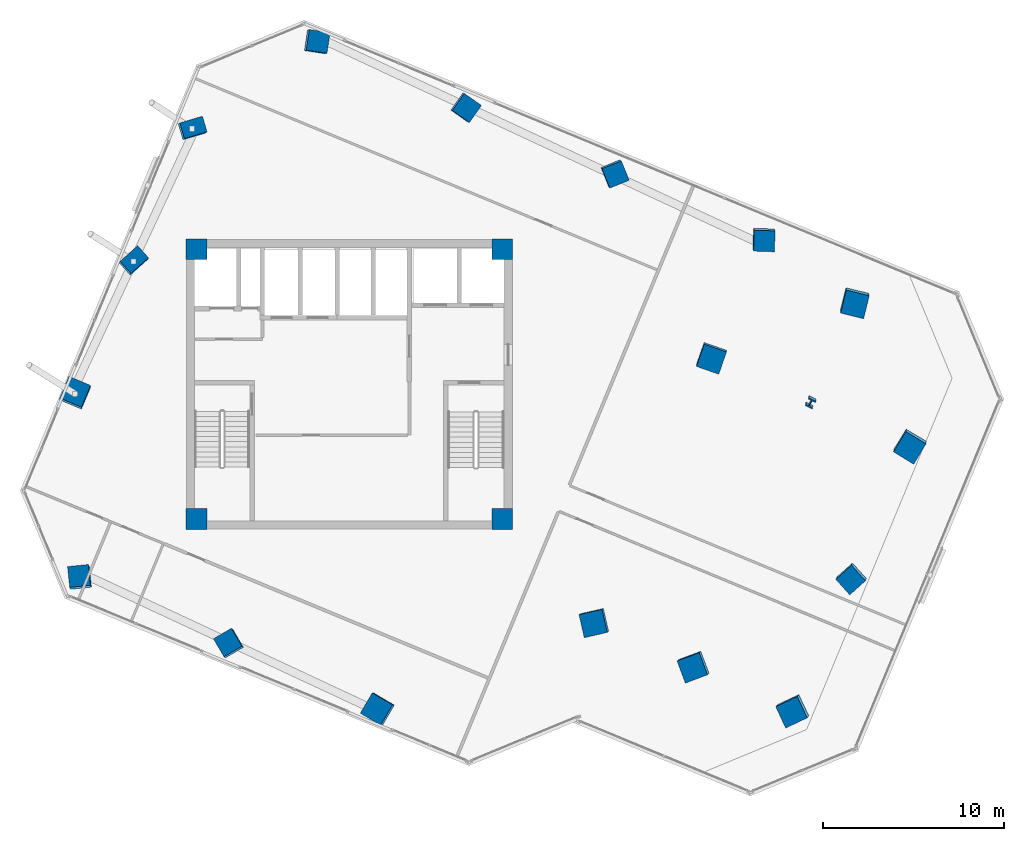
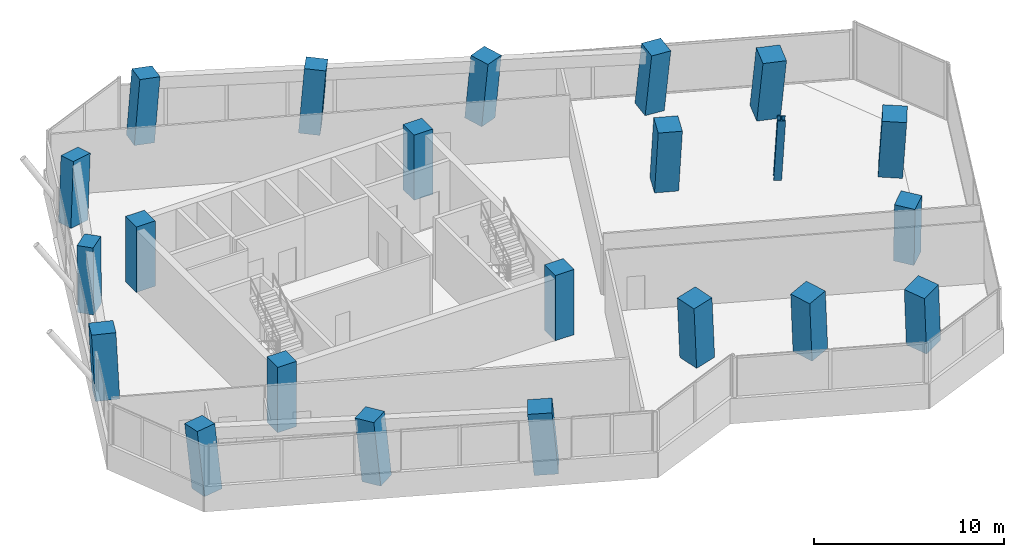
# One storey, part 1 of 22: 22 columns.
"""IFC4 building model written with IfcOpenShell, lengths in metres."""

from ifc_helpers import new_model, si_unit, direction, frame, origin, origin_2d, place, context, subcontext, project, spatial, rectangle, i_section, extrude, clip, halfspace, source, transform, mapped, material, material_profile, profile_set, type_object, element, save


model = new_model("IFC4")

# Units and contexts
model_context = context("Model", 3, precision=1e-05, world=origin(), true_north=direction((0.0, 1.0)))
body_context = subcontext(model_context, "Body", "Model", "MODEL_VIEW")
ifc_project = project(units=[si_unit("LENGTHUNIT", "METRE"), si_unit("AREAUNIT", "SQUARE_METRE"), si_unit("VOLUMEUNIT", "CUBIC_METRE"), si_unit("PLANEANGLEUNIT", "RADIAN"), si_unit("MASSUNIT", "GRAM", prefix="KILO")], contexts=[model_context])

# Site, building, storey
site_placement = place(None, origin())
site = spatial("IfcSite", under=ifc_project, at=site_placement, CompositionType="ELEMENT")
building_placement = place(site_placement, origin())
building = spatial("IfcBuilding", under=site, at=building_placement, Name="Torre Montelarca", CompositionType="ELEMENT")
storey_placement = place(building_placement, frame((0.0, 0.0, 149.800048828125)))
storey = spatial("IfcBuildingStorey", under=building, at=storey_placement, Name="L33", CompositionType="ELEMENT", Elevation=149.800048828125)

# Columns
ifc_material_1 = material(Name="Concrete C55/67", Category="concrete")
ifc_material_profile_1 = material_profile(ifc_material_1, rectangle(XDim=0.89990234375, YDim=1.300048828125, at=origin_2d()), Name="RC1300X900", Category="concrete")
ifc_profile_set_1 = profile_set([ifc_material_profile_1], Name="Concrete C55/67")
column_type_1 = type_object("IfcColumnType", Name="COL-PIL1300-EXT", PredefinedType="PILASTER", material=ifc_profile_set_1)
column_1_placement = place(storey_placement, frame((6.076904296875, 38.786376953125, 0.0), z_axis=(0.036018819674, 0.079391964265, 0.996192531913), x_axis=(0.667777192971, -0.743532643581, 0.035111657288)))
element("IfcColumn", 1, at=column_1_placement, inside=storey, type_object=column_type_1, Name="L33 Column 1W/E", PredefinedType="PILASTER", context=body_context, shape_type="Clipping", body=[
    clip(clip(extrude(rectangle(XDim=0.89990234375, YDim=1.300048828125, at=origin_2d()), origin(), (0.0, 0.0, 1.0), 4.216064453125), halfspace(frame((0.0, 0.0, 0.068603515625), z_axis=(0.0, 0.0, -1.0), x_axis=(1.0, 0.0, 0.0)), False)), halfspace(frame((0.0, 0.0, 4.1474609375), z_axis=(0.0, 0.0, 1.0), x_axis=(1.0, 0.0, 0.0)), False)),
])
column_2_placement = place(storey_placement, frame((9.299072265625, 46.10888671875, 0.0), z_axis=(0.073596254147, 0.062255950835, 0.995343050391), x_axis=(0.285083814289, -0.957716020823, 0.038823218429)))
element("IfcColumn", 2, at=column_2_placement, inside=storey, type_object=column_type_1, Name="L33 Column 1W/F", PredefinedType="PILASTER", context=body_context, shape_type="Clipping", body=[
    clip(clip(extrude(rectangle(XDim=0.89990234375, YDim=1.300048828125, at=origin_2d()), origin(), (0.0, 0.0, 1.0), 4.219482421875), halfspace(frame((0.0, 0.0, 0.075927734375), z_axis=(0.0, 0.0, -1.0), x_axis=(1.0, 0.0, 0.0)), False)), halfspace(frame((0.0, 0.0, 4.1435546875), z_axis=(0.0, 0.0, 1.0), x_axis=(1.0, 0.0, 0.0)), False)),
])
ifc_material_profile_2 = material_profile(ifc_material_1, rectangle(XDim=1.14990234375, YDim=1.14990234375, at=origin_2d()), Name="RC1150X1150", Category="concrete")
ifc_profile_set_2 = profile_set([ifc_material_profile_2], Name="Concrete C55/67")
column_type_2 = type_object("IfcColumnType", Name="COL-RC1150-EXT", PredefinedType="COLUMN", material=ifc_profile_set_2)
column_3_placement = place(storey_placement, frame((3.13134765625, 21.291015625, 0.0), z_axis=(-0.054253829771, 0.095391983974, 0.993960206119), x_axis=(0.993538038075, 0.104540497944, 0.044197864073)))
element("IfcColumn", 3, at=column_3_placement, inside=storey, type_object=column_type_2, Name="L33 Column 2/CS", PredefinedType="COLUMN", context=body_context, shape_type="Clipping", body=[
    clip(clip(extrude(rectangle(XDim=1.14990234375, YDim=1.14990234375, at=origin_2d()), origin(), (0.0, 0.0, 1.0), 4.2255859375), halfspace(frame((0.0, 0.0, 0.08447265625), z_axis=(0.0, 0.0, -1.0), x_axis=(1.0, 0.0, 0.0)), False)), halfspace(frame((0.0, 0.0, 4.14111328125), z_axis=(0.0, 0.0, 1.0), x_axis=(1.0, 0.0, 0.0)), False)),
])
column_4_placement = place(storey_placement, frame((16.16015625, 50.9013671875, 0.0), z_axis=(0.097962845796, 0.026485822535, 0.99483756566), x_axis=(-0.147888594985, -0.988159168403, 0.04087078876)))
element("IfcColumn", 4, at=column_4_placement, inside=storey, type_object=column_type_2, Name="L33 Column 2/GN", PredefinedType="COLUMN", context=body_context, shape_type="Clipping", body=[
    clip(clip(extrude(rectangle(XDim=1.14990234375, YDim=1.14990234375, at=origin_2d()), origin(), (0.0, 0.0, 1.0), 4.2216796875), halfspace(frame((0.0, 0.0, 0.078125), z_axis=(0.0, 0.0, -1.0), x_axis=(1.0, 0.0, 0.0)), False)), halfspace(frame((0.0, 0.0, 4.1435546875), z_axis=(0.0, 0.0, 1.0), x_axis=(1.0, 0.0, 0.0)), False)),
])
column_5_placement = place(storey_placement, frame((11.369140625, 17.666259765625, 0.0), z_axis=(-0.073577292822, 0.053200261293, 0.995869526685), x_axis=(0.86133259686, 0.506723750126, 0.036567726806)))
element("IfcColumn", 5, at=column_5_placement, inside=storey, type_object=column_type_2, Name="L33 Column 3/CS", PredefinedType="COLUMN", context=body_context, shape_type="Clipping", body=[
    clip(clip(extrude(rectangle(XDim=1.14990234375, YDim=1.14990234375, at=origin_2d()), origin(), (0.0, 0.0, 1.0), 4.21728515625), halfspace(frame((0.0, 0.0, 0.06982421875), z_axis=(0.0, 0.0, -1.0), x_axis=(1.0, 0.0, 0.0)), False)), halfspace(frame((0.0, 0.0, 4.1474609375), z_axis=(0.0, 0.0, 1.0), x_axis=(1.0, 0.0, 0.0)), False)),
])
column_6_placement = place(storey_placement, frame((24.39794921875, 47.276611328125, 0.0), z_axis=(0.078972895195, -0.015875695732, 0.996750341916), x_axis=(-0.573957846388, -0.818241946245, 0.032442379315)))
element("IfcColumn", 6, at=column_6_placement, inside=storey, type_object=column_type_2, Name="L33 Column 3/GN", PredefinedType="COLUMN", context=body_context, shape_type="Clipping", body=[
    clip(clip(extrude(rectangle(XDim=1.14990234375, YDim=1.14990234375, at=origin_2d()), origin(), (0.0, 0.0, 1.0), 4.213623046875), halfspace(frame((0.0, 0.0, 0.06201171875), z_axis=(0.0, 0.0, -1.0), x_axis=(1.0, 0.0, 0.0)), False)), halfspace(frame((0.0, 0.0, 4.151611328125), z_axis=(0.0, 0.0, 1.0), x_axis=(1.0, 0.0, 0.0)), False)),
])
column_7_placement = place(storey_placement, frame((32.6357421875, 43.65185546875, 0.0), z_axis=(0.059722402109, -0.058274235229, 0.996512593094), x_axis=(-0.926484561929, -0.374829268194, 0.033606193079)))
element("IfcColumn", 7, at=column_7_placement, inside=storey, type_object=column_type_2, Name="L33 Column 4/GN", PredefinedType="COLUMN", context=body_context, shape_type="Clipping", body=[
    clip(clip(extrude(rectangle(XDim=1.14990234375, YDim=1.14990234375, at=origin_2d()), origin(), (0.0, 0.0, 1.0), 4.214599609375), halfspace(frame((0.0, 0.0, 0.064208984375), z_axis=(0.0, 0.0, -1.0), x_axis=(1.0, 0.0, 0.0)), False)), halfspace(frame((0.0, 0.0, 4.150390625), z_axis=(0.0, 0.0, 1.0), x_axis=(1.0, 0.0, 0.0)), False)),
])
column_8_placement = place(storey_placement, frame((40.87353515625, 40.027099609375, 0.0), z_axis=(0.040393428459, -0.10049237781, 0.994117524712), x_axis=(-0.998594010076, 0.030121143968, 0.043620175691)))
element("IfcColumn", 8, at=column_8_placement, inside=storey, type_object=column_type_2, Name="L33 Column 5/GN", PredefinedType="COLUMN", context=body_context, shape_type="Clipping", body=[
    clip(clip(extrude(rectangle(XDim=1.14990234375, YDim=1.14990234375, at=origin_2d()), origin(), (0.0, 0.0, 1.0), 4.224853515625), halfspace(frame((0.0, 0.0, 0.083251953125), z_axis=(0.0, 0.0, -1.0), x_axis=(1.0, 0.0, 0.0)), False)), halfspace(frame((0.0, 0.0, 4.1416015625), z_axis=(0.0, 0.0, 1.0), x_axis=(1.0, 0.0, 0.0)), False)),
])
column_9_placement = place(storey_placement, frame((45.755859375, 21.3271484375, 0.0), z_axis=(-0.056319332893, -0.124213498005, 0.990655913855), x_axis=(-0.66886814199, 0.741348944836, 0.05492859566)))
element("IfcColumn", 9, at=column_9_placement, inside=storey, type_object=column_type_2, Name="L33 Column 7/E", PredefinedType="COLUMN", context=body_context, shape_type="Clipping", body=[
    clip(clip(extrude(rectangle(XDim=1.14990234375, YDim=1.14990234375, at=origin_2d()), origin(), (0.0, 0.0, 1.0), 4.239501953125), halfspace(frame((0.0, 0.0, 0.10498046875), z_axis=(0.0, 0.0, -1.0), x_axis=(1.0, 0.0, 0.0)), False)), halfspace(frame((0.0, 0.0, 4.134521484375), z_axis=(0.0, 0.0, 1.0), x_axis=(1.0, 0.0, 0.0)), False)),
])
ifc_material_2 = material(Name="Concrete C70/85", Category="concrete")
ifc_material_profile_3 = material_profile(ifc_material_2, rectangle(XDim=1.300048828125, YDim=1.300048828125, at=origin_2d()), Name="RC1300X1300", Category="concrete")
ifc_profile_set_3 = profile_set([ifc_material_profile_3], Name="Concrete C70/85")
column_type_3 = type_object("IfcColumnType", Name="COL-RC1300", PredefinedType="COLUMN", material=ifc_profile_set_3)
for number, where, z_axis, x_axis, name in (
    (10, (31.550048828125, 18.837646484375, 0.0), (-0.068687805608, -0.051255234371, 0.996320674437), (-0.225807240012, 0.97356030987, 0.034516856803), "L33 Column 5/D"),
    (11, (37.993896484375, 33.482666015625, 0.0), (0.006776121492, -0.085425463254, 0.996321521601), (-0.944174940931, 0.327631716003, 0.034512890147), "L33 Column 5/F"),
):
    element("IfcColumn", number, at=place(storey_placement, frame(where, z_axis=z_axis, x_axis=x_axis)), inside=storey, type_object=column_type_3, Name=name, PredefinedType="COLUMN", context=body_context, shape_type="Clipping", body=[
        clip(clip(extrude(rectangle(XDim=1.300048828125, YDim=1.300048828125, at=origin_2d()), origin(), (0.0, 0.0, 1.0), 4.215576171875), halfspace(frame((0.0, 0.0, 0.074462890625), z_axis=(0.0, 0.0, -1.0), x_axis=(1.0, 0.0, 0.0)), False)), halfspace(frame((0.0, 0.0, 4.14111328125), z_axis=(0.0, 0.0, 1.0), x_axis=(1.0, 0.0, 0.0)), False)),
    ])
column_10_placement = place(storey_placement, frame((37.0419921875, 16.421142578125, 0.0), z_axis=(-0.081259191739, -0.079295572323, 0.99353367128), x_axis=(-0.352877025503, 0.934551682281, 0.045726994413)))
element("IfcColumn", 12, at=column_10_placement, inside=storey, type_object=column_type_3, Name="L33 Column 6/D", PredefinedType="COLUMN", context=body_context, shape_type="Clipping", body=[
    clip(clip(extrude(rectangle(XDim=1.300048828125, YDim=1.300048828125, at=origin_2d()), origin(), (0.0, 0.0, 1.0), 4.227294921875), halfspace(frame((0.0, 0.0, 0.0986328125), z_axis=(0.0, 0.0, -1.0), x_axis=(1.0, 0.0, 0.0)), False)), halfspace(frame((0.0, 0.0, 4.128662109375), z_axis=(0.0, 0.0, 1.0), x_axis=(1.0, 0.0, 0.0)), False)),
])
column_11_placement = place(storey_placement, frame((45.90234375, 36.55810546875, 0.0), z_axis=(0.022138361225, -0.125969581452, 0.991787052502), x_axis=(-0.970634905864, 0.234977573508, 0.051511352785)))
element("IfcColumn", 13, at=column_11_placement, inside=storey, type_object=column_type_3, Name="L33 Column 6/G", PredefinedType="COLUMN", context=body_context, shape_type="Clipping", body=[
    clip(clip(extrude(rectangle(XDim=1.300048828125, YDim=1.300048828125, at=origin_2d()), origin(), (0.0, 0.0, 1.0), 4.234619140625), halfspace(frame((0.0, 0.0, 0.111328125), z_axis=(0.0, 0.0, -1.0), x_axis=(1.0, 0.0, 0.0)), False)), halfspace(frame((0.0, 0.0, 4.123291015625), z_axis=(0.0, 0.0, 1.0), x_axis=(1.0, 0.0, 0.0)), False)),
])
ifc_material_profile_4 = material_profile(ifc_material_2, rectangle(XDim=1.300048828125, YDim=1.300048828125, at=origin_2d()), Name="RC1300X1300", Category="concrete")
ifc_profile_set_4 = profile_set([ifc_material_profile_4], Name="Concrete C70/85")
column_type_4 = type_object("IfcColumnType", Name="COL-RC1300-EXT", PredefinedType="COLUMN", material=ifc_profile_set_4)
column_12_placement = place(storey_placement, frame((19.60693359375, 14.04150390625, 0.0), z_axis=(-0.092716689124, 0.010822734623, 0.995633709741), x_axis=(0.504406839453, 0.862647300668, 0.037594879473)))
element("IfcColumn", 14, at=column_12_placement, inside=storey, type_object=column_type_4, Name="L33 Column 4/CS", PredefinedType="COLUMN", context=body_context, shape_type="Clipping", body=[
    clip(clip(extrude(rectangle(XDim=1.300048828125, YDim=1.300048828125, at=origin_2d()), origin(), (0.0, 0.0, 1.0), 4.21826171875), halfspace(frame((0.0, 0.0, 0.0810546875), z_axis=(0.0, 0.0, -1.0), x_axis=(1.0, 0.0, 0.0)), False)), halfspace(frame((0.0, 0.0, 4.13720703125), z_axis=(0.0, 0.0, 1.0), x_axis=(1.0, 0.0, 0.0)), False)),
])
for number, where, z_axis, x_axis, name in (
    (15, (42.53369140625, 14.004638671875, 0.0), (-0.093672046811, -0.107078426975, 0.989828145752), (-0.426432254945, 0.902702866734, 0.057298048244), "L33 Column 7/D"),
    (16, (48.977783203125, 28.649658203125, 0.0), (-0.018757273243, -0.141082312856, 0.989820158261), (-0.854788608193, 0.515801128457, 0.057320425548), "L33 Column 7/F"),
):
    element("IfcColumn", number, at=place(storey_placement, frame(where, z_axis=z_axis, x_axis=x_axis)), inside=storey, type_object=column_type_4, Name=name, PredefinedType="COLUMN", context=body_context, shape_type="Clipping", body=[
        clip(clip(extrude(rectangle(XDim=1.300048828125, YDim=1.300048828125, at=origin_2d()), origin(), (0.0, 0.0, 1.0), 4.2431640625), halfspace(frame((0.0, 0.0, 0.1240234375), z_axis=(0.0, 0.0, -1.0), x_axis=(1.0, 0.0, 0.0)), False)), halfspace(frame((0.0, 0.0, 4.119140625), z_axis=(0.0, 0.0, 1.0), x_axis=(1.0, 0.0, 0.0)), False)),
    ])
column_13_placement = place(storey_placement, frame((2.85498046875, 31.4638671875, 0.0), z_axis=(-0.001677900232, 0.096392475377, 0.995341989138), x_axis=(0.922149724139, -0.384879593254, 0.038827631481)))
element("IfcColumn", 17, at=column_13_placement, inside=storey, type_object=column_type_4, Name="L33 Column 1W/D", PredefinedType="COLUMN", context=body_context, shape_type="Clipping", body=[
    clip(clip(extrude(rectangle(XDim=1.300048828125, YDim=1.300048828125, at=origin_2d()), origin(), (0.0, 0.0, 1.0), 4.2197265625), halfspace(frame((0.0, 0.0, 0.083740234375), z_axis=(0.0, 0.0, -1.0), x_axis=(1.0, 0.0, 0.0)), False)), halfspace(frame((0.0, 0.0, 4.135986328125), z_axis=(0.0, 0.0, 1.0), x_axis=(1.0, 0.0, 0.0)), False)),
])
ifc_material_3 = material(Name="Steel ASTM A992 Grade 50", Category="steel")
ifc_material_profile_5 = material_profile(ifc_material_3, i_section(OverallWidth=0.4208984375, OverallDepth=0.465087890625, WebThickness=0.044921875, FlangeThickness=0.072265625, FilletRadius=0.014892578125, at=origin_2d()), Name="W360X592", Category="steel")
ifc_profile_set_5 = profile_set([ifc_material_profile_5], Name="Steel ASTM A992 Grade 50")
column_type_5 = type_object("IfcColumnType", Name="COL-W360X592", PredefinedType="COLUMN", material=ifc_profile_set_5)
column_14_placement = place(storey_placement, frame((43.48583984375, 31.066162109375, 0.0), z_axis=(-0.00606412267, -0.113370217155, 0.99353430755), x_axis=(-0.892631968759, 0.448461163769, 0.045724751948)))
element("IfcColumn", 18, at=column_14_placement, inside=storey, type_object=column_type_5, Name="L33 Column 6/F", PredefinedType="COLUMN", context=body_context, shape_type="Clipping", body=[
    clip(clip(extrude(i_section(OverallWidth=0.4208984375, OverallDepth=0.465087890625, WebThickness=0.044921875, FlangeThickness=0.072265625, FilletRadius=0.014892578125, at=origin_2d()), origin(), (0.0, 0.0, 1.0), 4.227294921875), halfspace(frame((0.0, 0.0, 0.03466796875), z_axis=(0.0, 0.0, -1.0), x_axis=(1.0, 0.0, 0.0)), False)), halfspace(frame((0.0, 0.0, 4.192626953125), z_axis=(0.0, 0.0, 1.0), x_axis=(1.0, 0.0, 0.0)), False)),
])
ifc_material_profile_6 = material_profile(ifc_material_1, rectangle(XDim=1.14990234375, YDim=1.14990234375, at=origin_2d()), Name="RC1150X1150", Category="concrete")
ifc_profile_set_6 = profile_set([ifc_material_profile_6], Name="Concrete C55/67")
column_type_6 = type_object("IfcColumnType", Name="COL-RC1150", PredefinedType="COLUMN", material=ifc_profile_set_6)
shared_shape = source(origin(), body_context, "Body", "SweptSolid", [
    extrude(rectangle(XDim=1.14990234375, YDim=1.14990234375, at=origin_2d()), origin(), (0.0, 0.0, 1.0), 4.198486328125),
])
for number, where, z_axis, x_axis, name in (
    (19, (9.550048828125, 24.550048828125, 0.000732421875), (0.0, 0.0, 1.0), (1.0, 0.0, 0.0), "L33 Plumb Core Corner Column 2D"),
    (20, (26.449951171875, 24.550048828125, 0.000732421875), (0.0, 0.0, 1.0), (1.0, 0.0, 0.0), "L33 Plumb Core Corner Column 4D"),
    (21, (9.550048828125, 39.449951171875, 0.000732421875), (0.0, 0.0, 1.0), (1.0, 0.0, 0.0), "L33 Plumb Core Corner Column 2F"),
    (22, (26.449951171875, 39.449951171875, 0.000732421875), (0.0, 0.0, 1.0), (1.0, 0.0, 0.0), "L33 Plumb Core Corner Column 4F"),
):
    element("IfcColumn", number, at=place(storey_placement, frame(where, z_axis=z_axis, x_axis=x_axis)), inside=storey, type_object=column_type_6, Name=name, PredefinedType="COLUMN", context=body_context, shape_type="MappedRepresentation", body=[
        mapped(shared_shape, transform((0.0, 0.0, 0.0), scale=1.0)),
    ])

save(model, "model.ifc")
